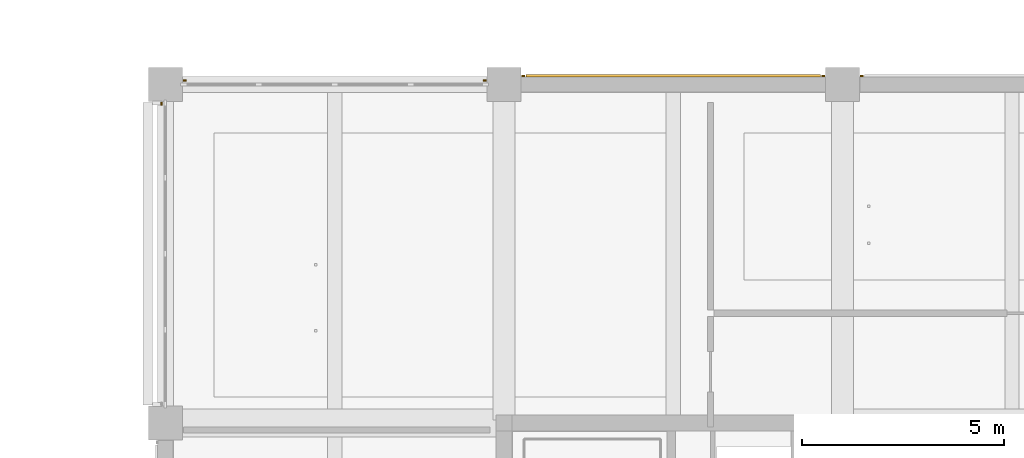
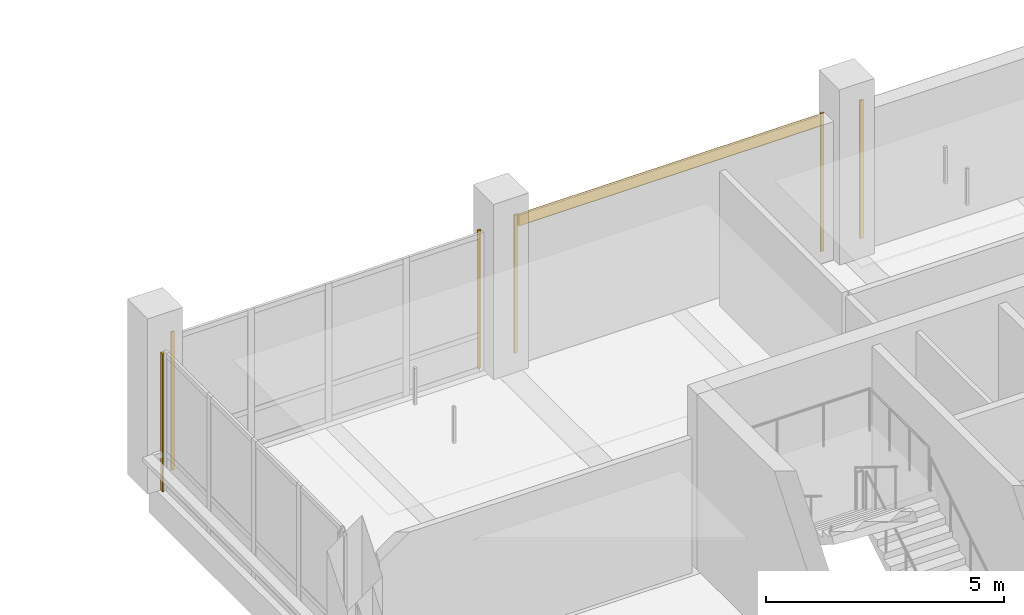
# One storey, part 33 of 39: 7 coverings.
"""IFC4 building model written with IfcOpenShell, lengths in metres."""

from ifc_helpers import new_model, si_unit, direction, frame, origin, origin_2d, place, context, subcontext, project, spatial, rectangle, extrude, material, layer, layer_set, type_object, element, save


model = new_model("IFC4")

# Units and contexts
model_context = context("Model", 3, precision=1e-05, world=origin(), true_north=direction((0.0, 1.0)))
body_context = subcontext(model_context, "Body", "Model", "MODEL_VIEW")
ifc_project = project(units=[si_unit("LENGTHUNIT", "METRE"), si_unit("AREAUNIT", "SQUARE_METRE"), si_unit("VOLUMEUNIT", "CUBIC_METRE"), si_unit("PLANEANGLEUNIT", "RADIAN"), si_unit("MASSUNIT", "GRAM", prefix="KILO")], contexts=[model_context])

# Site, building, storey
site_placement = place(None, origin())
site = spatial("IfcSite", under=ifc_project, at=site_placement, CompositionType="ELEMENT")
building_placement = place(site_placement, origin())
building = spatial("IfcBuilding", under=site, at=building_placement, Name="Telukmera Botanical Conservatory", CompositionType="ELEMENT")
storey_placement = place(building_placement, frame((0.0, 0.0, 19.5)))
storey = spatial("IfcBuildingStorey", under=building, at=storey_placement, Name="L04", CompositionType="ELEMENT", Elevation=19.5)

# Coverings
ifc_material_1 = material(Name="Granite-faced precast concrete C40/50", Category="masonry")
ifc_layer_1 = layer(ifc_material_1, 0.0400390625)
ifc_layer_set_1 = layer_set([ifc_layer_1], Name="Granite-faced precast concrete C40/50")
covering_type_1 = type_object("IfcCoveringType", Name="Granite Precast Column Pier Reveal Casing", PredefinedType="CLADDING", material=ifc_layer_set_1)
for number, where, z_axis, x_axis, name in (
    (1, (50.876953125, 42.89990234375, 0.0), (0.0, 0.0, 1.0), (1.0, 0.0, 0.0), "Granite Pier Reveal V4:L04:N1 L"),
    (2, (58.322998046875, 42.89990234375, 0.0), (0.0, 0.0, 1.0), (1.0, 0.0, 0.0), "Granite Pier Reveal V4:L04:N1 R"),
    (3, (59.277099609375, 43.010009765625, 0.0), (0.0, 0.0, 1.0), (1.0, 0.0, 0.0), "Granite Pier Reveal V4:L04:N2 L"),
    (4, (66.722900390625, 43.010009765625, 0.0), (0.0, 0.0, 1.0), (1.0, 0.0, 0.0), "Granite Pier Reveal V4:L04:N2 R"),
    (5, (67.677001953125, 43.010009765625, 0.0), (0.0, 0.0, 1.0), (1.0, 0.0, 0.0), "Granite Pier Reveal V4:L04:N3 L"),
    (6, (50.300048828125, 42.322998046875, 0.0), (0.0, 0.0, 1.0), (0.0, 1.0, 0.0), "Granite Pier Reveal V4:L04:W4 R"),
):
    element("IfcCovering", number, at=place(storey_placement, frame(where, z_axis=z_axis, x_axis=x_axis)), inside=storey, type_object=covering_type_1, Name=name, PredefinedType="CLADDING", context=body_context, shape_type="SweptSolid", body=[
        extrude(rectangle(XDim=0.080078125, YDim=0.0400390625, at=origin_2d()), origin(), (0.0, 0.0, 1.0), 3.550048828125),
    ])
ifc_material_2 = material(Name="Terracotta-faced precast concrete C40/50", Category="masonry")
ifc_layer_2 = layer(ifc_material_2, 0.06005859375)
ifc_layer_set_2 = layer_set([ifc_layer_2], Name="Terracotta-faced precast concrete C40/50")
covering_type_2 = type_object("IfcCoveringType", Name="Polychrome Terracotta Facade Band Cladding", PredefinedType="CLADDING", material=ifc_layer_set_2)
covering_placement = place(storey_placement, frame((63.0, 43.02001953125, 3.22998046875), z_axis=(0.0, 0.0, 1.0), x_axis=(1.0, 0.0, 0.0)))
element("IfcCovering", 7, at=covering_placement, inside=storey, type_object=covering_type_2, Name="Polychrome Terracotta Band V4:L04:N2", PredefinedType="CLADDING", context=body_context, shape_type="SweptSolid", body=[
    extrude(rectangle(XDim=7.305908203125, YDim=0.06005859375, at=origin_2d()), origin(), (0.0, 0.0, 1.0), 0.280029296875),
])

save(model, "model.ifc")
